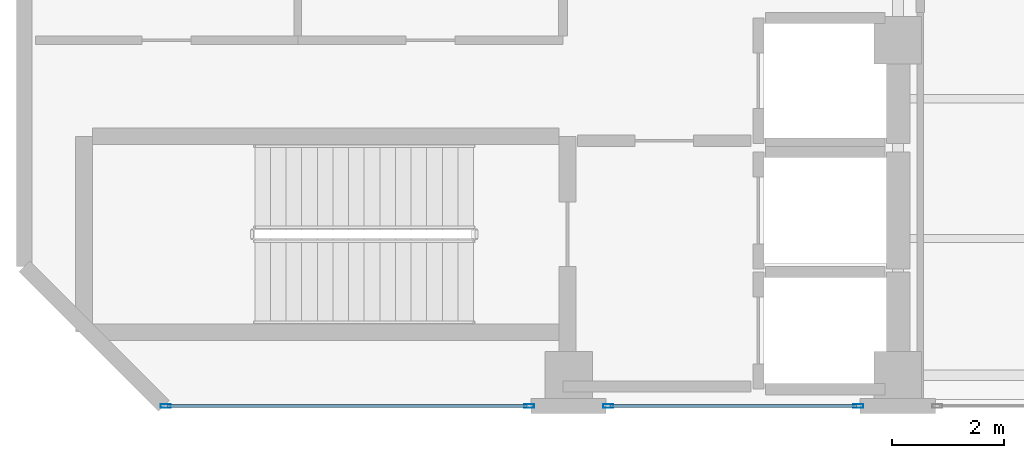
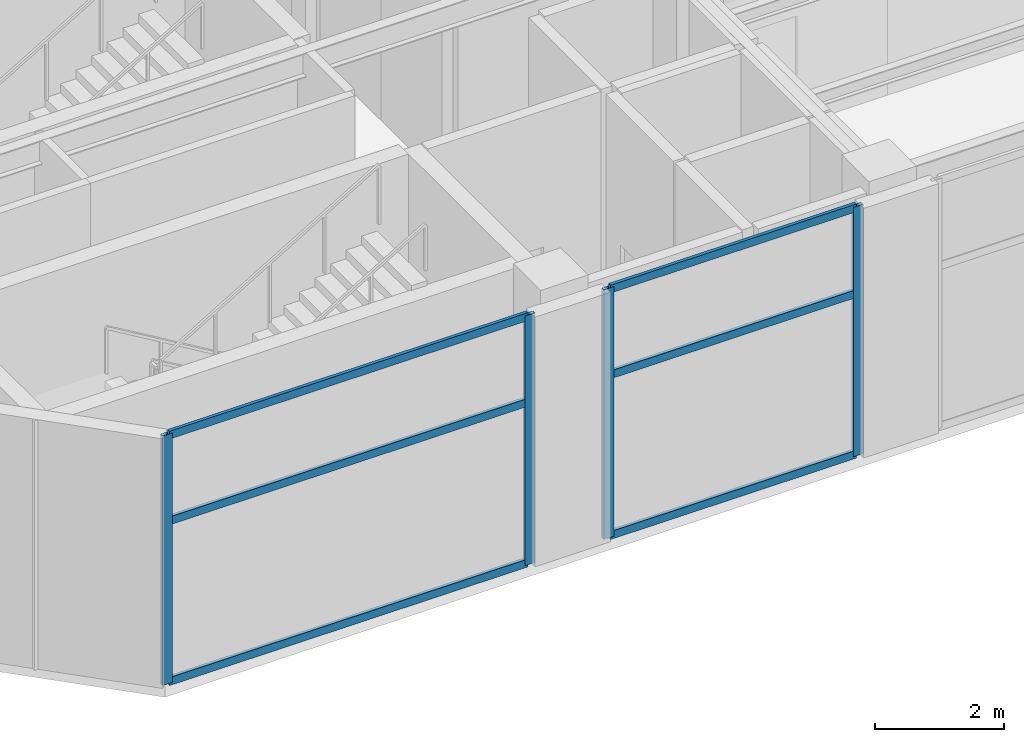
# One storey, part 2 of 15: 10 members, 2 elements without a shape of their own.
"""IFC4 building model written with IfcOpenShell, lengths in metres."""

from ifc_helpers import new_model, si_unit, direction, frame, origin, origin_2d, place, context, subcontext, project, spatial, hollow_rectangle, extrude, material, layer, layer_set, material_profile, profile_set, type_object, element, aggregate, save


model = new_model("IFC4")

# Units and contexts
model_context = context("Model", 3, precision=1e-05, world=origin(), true_north=direction((0.0, 1.0)))
body_context = subcontext(model_context, "Body", "Model", "MODEL_VIEW")
ifc_project = project(units=[si_unit("LENGTHUNIT", "METRE"), si_unit("AREAUNIT", "SQUARE_METRE"), si_unit("VOLUMEUNIT", "CUBIC_METRE"), si_unit("PLANEANGLEUNIT", "RADIAN"), si_unit("MASSUNIT", "GRAM", prefix="KILO")], contexts=[model_context])

# Site, building, storey
site_placement = place(None, origin())
site = spatial("IfcSite", under=ifc_project, at=site_placement, CompositionType="ELEMENT")
building_placement = place(site_placement, origin())
building = spatial("IfcBuilding", under=site, at=building_placement, Name="Mawjaban Terraces University", CompositionType="ELEMENT")
storey_placement = place(building_placement, frame((0.0, 0.0, 306.699951171875)))
storey = spatial("IfcBuildingStorey", under=building, at=storey_placement, Name="L75", CompositionType="ELEMENT", Elevation=306.699951171875)

# Curtain wall, members
ifc_material_1 = material(Name="Anodised aluminium 6063-T6 and solar-control low-E glass", Category="aluminium")
ifc_layer = layer(ifc_material_1, 0.199951171875)
ifc_layer_set = layer_set([ifc_layer], Name="Anodised aluminium 6063-T6 and solar-control low-E glass")
curtain_wall_type = type_object("IfcCurtainWallType", Name="CWSystem_06_ObservationCrown", PredefinedType="NOTDEFINED", material=ifc_layer_set)
curtain_wall_1_placement = place(storey_placement, origin())
curtain_wall_1 = element("IfcCurtainWall", 1, at=curtain_wall_1_placement, inside=storey, type_object=curtain_wall_type, Name="L75 Curtain Wall CW-06 Run 1.1", PredefinedType="NOTDEFINED")
ifc_material_2 = material(Name="Anodised aluminium 6063-T6", Category="aluminium")
ifc_material_profile_1 = material_profile(ifc_material_2, hollow_rectangle(XDim=0.06494140625, YDim=0.179931640625, WallThickness=0.00390625, at=origin_2d()), Name="ALU180X65X4")
ifc_profile_set_1 = profile_set([ifc_material_profile_1], Name="Anodised aluminium 6063-T6")
member_type_1 = type_object("IfcMemberType", Name="Mullion_CW-06", PredefinedType="MULLION", material=ifc_profile_set_1)
member_1_placement = place(storey_placement, frame((24.532470703125, 0.0, 0.0), z_axis=(0.0, 0.0, 1.0), x_axis=(0.0, 1.0, 0.0)))
member_1 = element("IfcMember", 2, at=member_1_placement, type_object=member_type_1, Name="CW-06 mullion 1", PredefinedType="MULLION", context=body_context, shape_type="SweptSolid", body=[
    extrude(hollow_rectangle(XDim=0.06494140625, YDim=0.179931640625, WallThickness=0.00390625, at=origin_2d()), origin(), (0.0, 0.0, 1.0), 4.739990234375),
])
member_2_placement = place(storey_placement, frame((31.04248046875, 0.0, 0.0), z_axis=(0.0, 0.0, 1.0), x_axis=(0.0, 1.0, 0.0)))
member_2 = element("IfcMember", 3, at=member_2_placement, type_object=member_type_1, Name="CW-06 mullion 2", PredefinedType="MULLION", context=body_context, shape_type="SweptSolid", body=[
    extrude(hollow_rectangle(XDim=0.06494140625, YDim=0.179931640625, WallThickness=0.00390625, at=origin_2d()), origin(), (0.0, 0.0, 1.0), 4.739990234375),
])

curtain_wall_2_placement = place(storey_placement, origin())
curtain_wall_2 = element("IfcCurtainWall", 4, at=curtain_wall_2_placement, inside=storey, type_object=curtain_wall_type, Name="L75 Curtain Wall CW-06 Run 1.2", PredefinedType="NOTDEFINED")
member_3_placement = place(storey_placement, frame((32.45751953125, 0.0, 0.0), z_axis=(0.0, 0.0, 1.0), x_axis=(0.0, 1.0, 0.0)))
member_3 = element("IfcMember", 5, at=member_3_placement, type_object=member_type_1, Name="CW-06 mullion 1", PredefinedType="MULLION", context=body_context, shape_type="SweptSolid", body=[
    extrude(hollow_rectangle(XDim=0.06494140625, YDim=0.179931640625, WallThickness=0.00390625, at=origin_2d()), origin(), (0.0, 0.0, 1.0), 4.739990234375),
])
member_4_placement = place(storey_placement, frame((36.9423828125, 0.0, 0.0), z_axis=(0.0, 0.0, 1.0), x_axis=(0.0, 1.0, 0.0)))
member_4 = element("IfcMember", 6, at=member_4_placement, type_object=member_type_1, Name="CW-06 mullion 2", PredefinedType="MULLION", context=body_context, shape_type="SweptSolid", body=[
    extrude(hollow_rectangle(XDim=0.06494140625, YDim=0.179931640625, WallThickness=0.00390625, at=origin_2d()), origin(), (0.0, 0.0, 1.0), 4.739990234375),
])

# Member
ifc_material_profile_2 = material_profile(ifc_material_2, hollow_rectangle(XDim=0.06005859375, YDim=0.14990234375, WallThickness=0.00390625, at=origin_2d()), Name="ALU150X60X4")
ifc_profile_set_2 = profile_set([ifc_material_profile_2], Name="Anodised aluminium 6063-T6")
member_type_2 = type_object("IfcMemberType", Name="Transom_CW-06", PredefinedType="NOTDEFINED", material=ifc_profile_set_2)
member_5_placement = place(storey_placement, frame((24.56494140625, 0.0, 0.030029296875), z_axis=(1.0, 0.0, 0.0), x_axis=(0.0, 1.0, 0.0)))
member_5 = element("IfcMember", 7, at=member_5_placement, type_object=member_type_2, Name="CW-06 transom 1.1", ObjectType="TRANSOM", PredefinedType="USERDEFINED", context=body_context, shape_type="SweptSolid", body=[
    extrude(hollow_rectangle(XDim=0.06005859375, YDim=0.14990234375, WallThickness=0.00390625, at=origin_2d()), origin(), (0.0, 0.0, 1.0), 6.445068359375),
])

member_6_placement = place(storey_placement, frame((24.56494140625, 0.0, 3.0810546875), z_axis=(1.0, 0.0, 0.0), x_axis=(0.0, 1.0, 0.0)))
member_6 = element("IfcMember", 8, at=member_6_placement, type_object=member_type_2, Name="CW-06 transom 1.2", ObjectType="TRANSOM", PredefinedType="USERDEFINED", context=body_context, shape_type="SweptSolid", body=[
    extrude(hollow_rectangle(XDim=0.06005859375, YDim=0.14990234375, WallThickness=0.00390625, at=origin_2d()), origin(), (0.0, 0.0, 1.0), 6.445068359375),
])

member_7_placement = place(storey_placement, frame((24.56494140625, 0.0, 4.7099609375), z_axis=(1.0, 0.0, 0.0), x_axis=(0.0, 1.0, 0.0)))
member_7 = element("IfcMember", 9, at=member_7_placement, type_object=member_type_2, Name="CW-06 transom 1.3", ObjectType="TRANSOM", PredefinedType="USERDEFINED", context=body_context, shape_type="SweptSolid", body=[
    extrude(hollow_rectangle(XDim=0.06005859375, YDim=0.14990234375, WallThickness=0.00390625, at=origin_2d()), origin(), (0.0, 0.0, 1.0), 6.445068359375),
])

aggregate(curtain_wall_1, [member_1, member_2, member_5, member_6, member_7])

member_8_placement = place(storey_placement, frame((32.489990234375, 0.0, 0.030029296875), z_axis=(1.0, 0.0, 0.0), x_axis=(0.0, 1.0, 0.0)))
member_8 = element("IfcMember", 10, at=member_8_placement, type_object=member_type_2, Name="CW-06 transom 1.1", ObjectType="TRANSOM", PredefinedType="USERDEFINED", context=body_context, shape_type="SweptSolid", body=[
    extrude(hollow_rectangle(XDim=0.06005859375, YDim=0.14990234375, WallThickness=0.00390625, at=origin_2d()), origin(), (0.0, 0.0, 1.0), 4.419921875),
])

member_9_placement = place(storey_placement, frame((32.489990234375, 0.0, 3.0810546875), z_axis=(1.0, 0.0, 0.0), x_axis=(0.0, 1.0, 0.0)))
member_9 = element("IfcMember", 11, at=member_9_placement, type_object=member_type_2, Name="CW-06 transom 1.2", ObjectType="TRANSOM", PredefinedType="USERDEFINED", context=body_context, shape_type="SweptSolid", body=[
    extrude(hollow_rectangle(XDim=0.06005859375, YDim=0.14990234375, WallThickness=0.00390625, at=origin_2d()), origin(), (0.0, 0.0, 1.0), 4.419921875),
])

member_10_placement = place(storey_placement, frame((32.489990234375, 0.0, 4.7099609375), z_axis=(1.0, 0.0, 0.0), x_axis=(0.0, 1.0, 0.0)))
member_10 = element("IfcMember", 12, at=member_10_placement, type_object=member_type_2, Name="CW-06 transom 1.3", ObjectType="TRANSOM", PredefinedType="USERDEFINED", context=body_context, shape_type="SweptSolid", body=[
    extrude(hollow_rectangle(XDim=0.06005859375, YDim=0.14990234375, WallThickness=0.00390625, at=origin_2d()), origin(), (0.0, 0.0, 1.0), 4.419921875),
])

aggregate(curtain_wall_2, [member_3, member_4, member_8, member_9, member_10])

save(model, "model.ifc")
